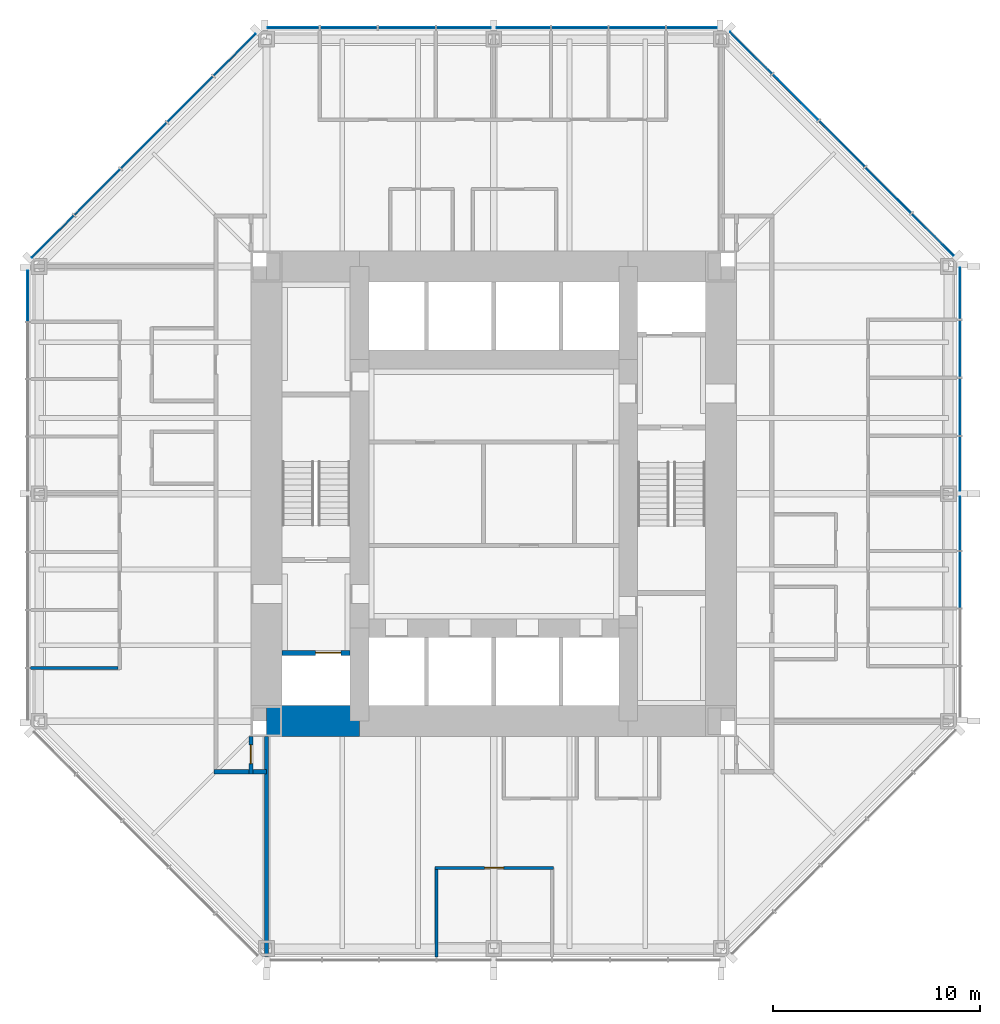
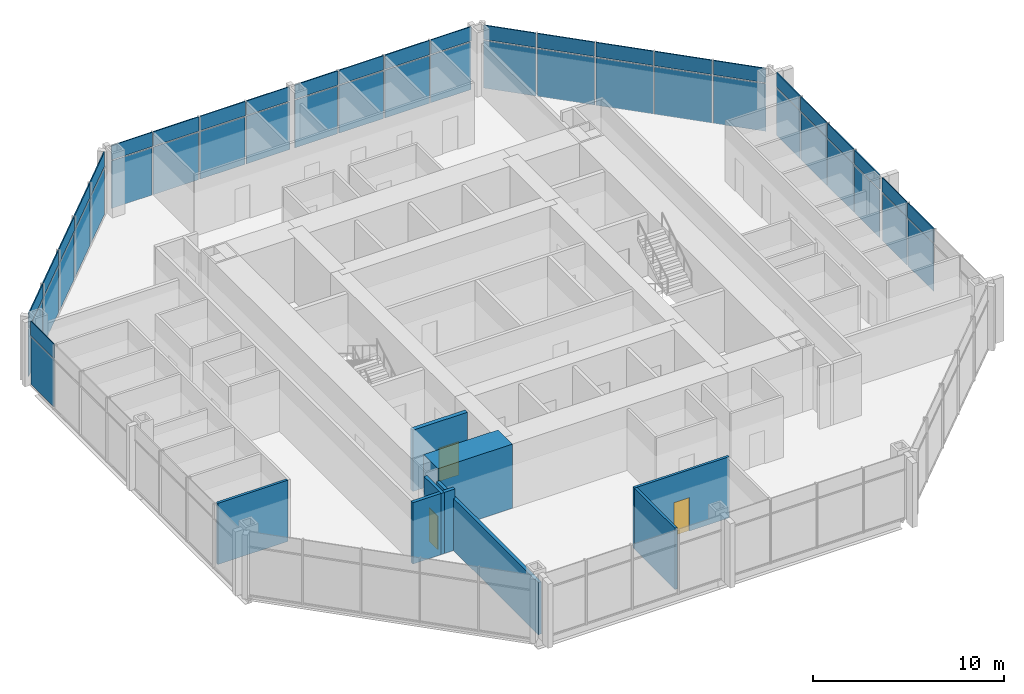
# One storey, part 8 of 14: 50 plates, 8 walls, 3 doors, 3 openings, 5 elements without a shape of their own.
"""IFC4 building model written with IfcOpenShell, lengths in metres."""

from ifc_helpers import new_model, si_unit, direction, frame, frame_2d, origin, origin_2d, place, context, subcontext, project, spatial, rectangle, extrude, material, layer, layer_set, type_object, element, fill, aggregate, save


model = new_model("IFC4")

# Units and contexts
model_context = context("Model", 3, precision=1e-05, world=origin(), true_north=direction((0.0, 1.0)))
body_context = subcontext(model_context, "Body", "Model", "MODEL_VIEW")
ifc_project = project(units=[si_unit("LENGTHUNIT", "METRE"), si_unit("AREAUNIT", "SQUARE_METRE"), si_unit("VOLUMEUNIT", "CUBIC_METRE"), si_unit("PLANEANGLEUNIT", "RADIAN"), si_unit("MASSUNIT", "GRAM", prefix="KILO")], contexts=[model_context])

# Site, building, storey
site_placement = place(None, origin())
site = spatial("IfcSite", under=ifc_project, at=site_placement, CompositionType="ELEMENT")
building_placement = place(site_placement, origin())
building = spatial("IfcBuilding", under=site, at=building_placement, Name="Trevanion Tower", CompositionType="ELEMENT")
storey_placement = place(building_placement, frame((0.0, 0.0, 100.800048828125)))
storey = spatial("IfcBuildingStorey", under=building, at=storey_placement, Name="L23", CompositionType="ELEMENT", Elevation=100.800048828125)

# Curtain wall, plates
ifc_material_1 = material(Name="Aluminium and glass", Category="aluminium")
curtain_wall_type = type_object("IfcCurtainWallType", Name="CW2 curtain wall", PredefinedType="USERDEFINED", material=ifc_material_1)
curtain_wall_1_placement = place(storey_placement, origin())
curtain_wall_1 = element("IfcCurtainWall", 1, at=curtain_wall_1_placement, inside=storey, type_object=curtain_wall_type, Name="CW2 L23 0", ObjectType="UNITISED CURTAIN WALL", PredefinedType="USERDEFINED")
ifc_material_2 = material(Name="Aluminium spandrel panel", Category="aluminium")
ifc_layer_1 = layer(ifc_material_2, 0.06005859375)
ifc_layer_set_1 = layer_set([ifc_layer_1], Name="CW2 spandrel panel")
plate_type_1 = type_object("IfcPlateType", Name="CW2 spandrel panel", PredefinedType="CURTAIN_PANEL", material=ifc_layer_set_1)
plate_1_placement = place(storey_placement, frame((22.550048828125, -4.16162109375, 2.997314453125), z_axis=(0.0, 0.0, 1.0), x_axis=(0.0, 1.0, 0.0)))
plate_1 = element("IfcPlate", 2, at=plate_1_placement, type_object=plate_type_1, Name="CW2 panel 3.2", PredefinedType="CURTAIN_PANEL", context=body_context, shape_type="SweptSolid", body=[
    extrude(rectangle(XDim=2.699462890625, YDim=0.06005859375, at=origin_2d()), origin(), (0.0, 0.0, 1.0), 0.91259765625),
])
plate_2_placement = place(storey_placement, frame((22.550048828125, -1.443603515625, 2.997314453125), z_axis=(0.0, 0.0, 1.0), x_axis=(0.0, 1.0, 0.0)))
plate_2 = element("IfcPlate", 3, at=plate_2_placement, type_object=plate_type_1, Name="CW2 panel 4.2", PredefinedType="CURTAIN_PANEL", context=body_context, shape_type="SweptSolid", body=[
    extrude(rectangle(XDim=2.5869140625, YDim=0.06005859375, at=origin_2d()), origin(), (0.0, 0.0, 1.0), 0.91259765625),
])
plate_3_placement = place(storey_placement, frame((22.550048828125, 1.459716796875, 2.997314453125), z_axis=(0.0, 0.0, 1.0), x_axis=(0.0, 1.0, 0.0)))
plate_3 = element("IfcPlate", 4, at=plate_3_placement, type_object=plate_type_1, Name="CW2 panel 5.2", PredefinedType="CURTAIN_PANEL", context=body_context, shape_type="SweptSolid", body=[
    extrude(rectangle(XDim=2.619384765625, YDim=0.06005859375, at=origin_2d()), origin(), (0.0, 0.0, 1.0), 0.91259765625),
])
plate_4_placement = place(storey_placement, frame((22.550048828125, 4.21044921875, 2.997314453125), z_axis=(0.0, 0.0, 1.0), x_axis=(0.0, 1.0, 0.0)))
plate_4 = element("IfcPlate", 5, at=plate_4_placement, type_object=plate_type_1, Name="CW2 panel 6.2", PredefinedType="CURTAIN_PANEL", context=body_context, shape_type="SweptSolid", body=[
    extrude(rectangle(XDim=2.73193359375, YDim=0.06005859375, at=origin_2d()), origin(), (0.0, 0.0, 1.0), 0.91259765625),
])
plate_5_placement = place(storey_placement, frame((22.550048828125, 7.017333984375, 2.997314453125), z_axis=(0.0, 0.0, 1.0), x_axis=(0.0, 1.0, 0.0)))
plate_5 = element("IfcPlate", 6, at=plate_5_placement, type_object=plate_type_1, Name="CW2 panel 7.2", PredefinedType="CURTAIN_PANEL", context=body_context, shape_type="SweptSolid", body=[
    extrude(rectangle(XDim=2.73193359375, YDim=0.06005859375, at=origin_2d()), origin(), (0.0, 0.0, 1.0), 0.91259765625),
])
plate_6_placement = place(storey_placement, frame((22.550048828125, 9.693115234375, 2.997314453125), z_axis=(0.0, 0.0, 1.0), x_axis=(0.0, 1.0, 0.0)))
plate_6 = element("IfcPlate", 7, at=plate_6_placement, type_object=plate_type_1, Name="CW2 panel 8.2", PredefinedType="CURTAIN_PANEL", context=body_context, shape_type="SweptSolid", body=[
    extrude(rectangle(XDim=2.469482421875, YDim=0.06005859375, at=origin_2d()), origin(), (0.0, 0.0, 1.0), 0.91259765625),
])

curtain_wall_2_placement = place(storey_placement, origin())
curtain_wall_2 = element("IfcCurtainWall", 8, at=curtain_wall_2_placement, inside=storey, type_object=curtain_wall_type, Name="CW2 L23 1", ObjectType="UNITISED CURTAIN WALL", PredefinedType="USERDEFINED")
plate_7_placement = place(storey_placement, frame((21.2421875, 12.53564453125, 2.997314453125), z_axis=(0.0, 0.0, 1.0), x_axis=(-0.707106781187, 0.707106781187, 0.0)))
plate_7 = element("IfcPlate", 9, at=plate_7_placement, type_object=plate_type_1, Name="CW2 panel 1.2", PredefinedType="CURTAIN_PANEL", context=body_context, shape_type="SweptSolid", body=[
    extrude(rectangle(XDim=2.8388671875, YDim=0.06005859375, at=origin_2d()), origin(), (0.0, 0.0, 1.0), 0.91259765625),
])
plate_8_placement = place(storey_placement, frame((19.089111328125, 14.688720703125, 2.997314453125), z_axis=(0.0, 0.0, 1.0), x_axis=(-0.707106781187, 0.707106781187, 0.0)))
plate_8 = element("IfcPlate", 10, at=plate_8_placement, type_object=plate_type_1, Name="CW2 panel 2.2", PredefinedType="CURTAIN_PANEL", context=body_context, shape_type="SweptSolid", body=[
    extrude(rectangle(XDim=3.101318359375, YDim=0.06005859375, at=origin_2d()), origin(), (0.0, 0.0, 1.0), 0.91259765625),
])
plate_9_placement = place(storey_placement, frame((16.843017578125, 16.934814453125, 2.997314453125), z_axis=(0.0, 0.0, 1.0), x_axis=(-0.707106781187, 0.707106781187, 0.0)))
plate_9 = element("IfcPlate", 11, at=plate_9_placement, type_object=plate_type_1, Name="CW2 panel 3.2", PredefinedType="CURTAIN_PANEL", context=body_context, shape_type="SweptSolid", body=[
    extrude(rectangle(XDim=3.101318359375, YDim=0.06005859375, at=origin_2d()), origin(), (0.0, 0.0, 1.0), 0.91259765625),
])
plate_10_placement = place(storey_placement, frame((14.596923828125, 19.180908203125, 2.997314453125), z_axis=(0.0, 0.0, 1.0), x_axis=(-0.707106781187, 0.707106781187, 0.0)))
plate_10 = element("IfcPlate", 12, at=plate_10_placement, type_object=plate_type_1, Name="CW2 panel 4.2", PredefinedType="CURTAIN_PANEL", context=body_context, shape_type="SweptSolid", body=[
    extrude(rectangle(XDim=3.101318359375, YDim=0.06005859375, at=origin_2d()), origin(), (0.0, 0.0, 1.0), 0.91259765625),
])
plate_11_placement = place(storey_placement, frame((12.443603515625, 21.334228515625, 2.997314453125), z_axis=(0.0, 0.0, 1.0), x_axis=(-0.707106781187, 0.707106781187, 0.0)))
plate_11 = element("IfcPlate", 13, at=plate_11_placement, type_object=plate_type_1, Name="CW2 panel 5.2", PredefinedType="CURTAIN_PANEL", context=body_context, shape_type="SweptSolid", body=[
    extrude(rectangle(XDim=2.8388671875, YDim=0.06005859375, at=origin_2d()), origin(), (0.0, 0.0, 1.0), 0.91259765625),
])

curtain_wall_3_placement = place(storey_placement, origin())
curtain_wall_3 = element("IfcCurtainWall", 14, at=curtain_wall_3_placement, inside=storey, type_object=curtain_wall_type, Name="CW2 L23 2", ObjectType="UNITISED CURTAIN WALL", PredefinedType="USERDEFINED")
plate_12_placement = place(storey_placement, frame((9.579345703125, 22.550048828125, 2.997314453125), z_axis=(0.0, 0.0, 1.0), x_axis=(-1.0, 0.0, 0.0)))
plate_12 = element("IfcPlate", 15, at=plate_12_placement, type_object=plate_type_1, Name="CW2 panel 1.2", PredefinedType="CURTAIN_PANEL", context=body_context, shape_type="SweptSolid", body=[
    extrude(rectangle(XDim=2.43701171875, YDim=0.06005859375, at=origin_2d()), origin(), (0.0, 0.0, 1.0), 0.91259765625),
])
plate_13_placement = place(storey_placement, frame((6.93603515625, 22.550048828125, 2.997314453125), z_axis=(0.0, 0.0, 1.0), x_axis=(-1.0, 0.0, 0.0)))
plate_13 = element("IfcPlate", 16, at=plate_13_placement, type_object=plate_type_1, Name="CW2 panel 2.2", PredefinedType="CURTAIN_PANEL", context=body_context, shape_type="SweptSolid", body=[
    extrude(rectangle(XDim=2.699462890625, YDim=0.06005859375, at=origin_2d()), origin(), (0.0, 0.0, 1.0), 0.91259765625),
])
plate_14_placement = place(storey_placement, frame((4.16162109375, 22.550048828125, 2.997314453125), z_axis=(0.0, 0.0, 1.0), x_axis=(-1.0, 0.0, 0.0)))
plate_14 = element("IfcPlate", 17, at=plate_14_placement, type_object=plate_type_1, Name="CW2 panel 3.2", PredefinedType="CURTAIN_PANEL", context=body_context, shape_type="SweptSolid", body=[
    extrude(rectangle(XDim=2.699462890625, YDim=0.06005859375, at=origin_2d()), origin(), (0.0, 0.0, 1.0), 0.91259765625),
])
plate_15_placement = place(storey_placement, frame((1.443603515625, 22.550048828125, 2.997314453125), z_axis=(0.0, 0.0, 1.0), x_axis=(-1.0, 0.0, 0.0)))
plate_15 = element("IfcPlate", 18, at=plate_15_placement, type_object=plate_type_1, Name="CW2 panel 4.2", PredefinedType="CURTAIN_PANEL", context=body_context, shape_type="SweptSolid", body=[
    extrude(rectangle(XDim=2.5869140625, YDim=0.06005859375, at=origin_2d()), origin(), (0.0, 0.0, 1.0), 0.91259765625),
])
plate_16_placement = place(storey_placement, frame((-1.459716796875, 22.550048828125, 2.997314453125), z_axis=(0.0, 0.0, 1.0), x_axis=(-1.0, 0.0, 0.0)))
plate_16 = element("IfcPlate", 19, at=plate_16_placement, type_object=plate_type_1, Name="CW2 panel 5.2", PredefinedType="CURTAIN_PANEL", context=body_context, shape_type="SweptSolid", body=[
    extrude(rectangle(XDim=2.619384765625, YDim=0.06005859375, at=origin_2d()), origin(), (0.0, 0.0, 1.0), 0.91259765625),
])
plate_17_placement = place(storey_placement, frame((-4.21044921875, 22.550048828125, 2.997314453125), z_axis=(0.0, 0.0, 1.0), x_axis=(-1.0, 0.0, 0.0)))
plate_17 = element("IfcPlate", 20, at=plate_17_placement, type_object=plate_type_1, Name="CW2 panel 6.2", PredefinedType="CURTAIN_PANEL", context=body_context, shape_type="SweptSolid", body=[
    extrude(rectangle(XDim=2.73193359375, YDim=0.06005859375, at=origin_2d()), origin(), (0.0, 0.0, 1.0), 0.91259765625),
])
plate_18_placement = place(storey_placement, frame((-7.017333984375, 22.550048828125, 2.997314453125), z_axis=(0.0, 0.0, 1.0), x_axis=(-1.0, 0.0, 0.0)))
plate_18 = element("IfcPlate", 21, at=plate_18_placement, type_object=plate_type_1, Name="CW2 panel 7.2", PredefinedType="CURTAIN_PANEL", context=body_context, shape_type="SweptSolid", body=[
    extrude(rectangle(XDim=2.73193359375, YDim=0.06005859375, at=origin_2d()), origin(), (0.0, 0.0, 1.0), 0.91259765625),
])
plate_19_placement = place(storey_placement, frame((-9.693115234375, 22.550048828125, 2.997314453125), z_axis=(0.0, 0.0, 1.0), x_axis=(-1.0, 0.0, 0.0)))
plate_19 = element("IfcPlate", 22, at=plate_19_placement, type_object=plate_type_1, Name="CW2 panel 8.2", PredefinedType="CURTAIN_PANEL", context=body_context, shape_type="SweptSolid", body=[
    extrude(rectangle(XDim=2.469482421875, YDim=0.06005859375, at=origin_2d()), origin(), (0.0, 0.0, 1.0), 0.91259765625),
])

curtain_wall_4_placement = place(storey_placement, origin())
curtain_wall_4 = element("IfcCurtainWall", 23, at=curtain_wall_4_placement, inside=storey, type_object=curtain_wall_type, Name="CW2 L23 3", ObjectType="UNITISED CURTAIN WALL", PredefinedType="USERDEFINED")
plate_20_placement = place(storey_placement, frame((-12.53564453125, 21.2421875, 2.997314453125), z_axis=(0.0, 0.0, 1.0), x_axis=(-0.707106781187, -0.707106781187, 0.0)))
plate_20 = element("IfcPlate", 24, at=plate_20_placement, type_object=plate_type_1, Name="CW2 panel 1.2", PredefinedType="CURTAIN_PANEL", context=body_context, shape_type="SweptSolid", body=[
    extrude(rectangle(XDim=2.8388671875, YDim=0.06005859375, at=origin_2d()), origin(), (0.0, 0.0, 1.0), 0.91259765625),
])
plate_21_placement = place(storey_placement, frame((-14.688720703125, 19.089111328125, 2.997314453125), z_axis=(0.0, 0.0, 1.0), x_axis=(-0.707106781187, -0.707106781187, 0.0)))
plate_21 = element("IfcPlate", 25, at=plate_21_placement, type_object=plate_type_1, Name="CW2 panel 2.2", PredefinedType="CURTAIN_PANEL", context=body_context, shape_type="SweptSolid", body=[
    extrude(rectangle(XDim=3.101318359375, YDim=0.06005859375, at=origin_2d()), origin(), (0.0, 0.0, 1.0), 0.91259765625),
])
plate_22_placement = place(storey_placement, frame((-16.934814453125, 16.843017578125, 2.997314453125), z_axis=(0.0, 0.0, 1.0), x_axis=(-0.707106781187, -0.707106781187, 0.0)))
plate_22 = element("IfcPlate", 26, at=plate_22_placement, type_object=plate_type_1, Name="CW2 panel 3.2", PredefinedType="CURTAIN_PANEL", context=body_context, shape_type="SweptSolid", body=[
    extrude(rectangle(XDim=3.101318359375, YDim=0.06005859375, at=origin_2d()), origin(), (0.0, 0.0, 1.0), 0.91259765625),
])
plate_23_placement = place(storey_placement, frame((-19.180908203125, 14.596923828125, 2.997314453125), z_axis=(0.0, 0.0, 1.0), x_axis=(-0.707106781187, -0.707106781187, 0.0)))
plate_23 = element("IfcPlate", 27, at=plate_23_placement, type_object=plate_type_1, Name="CW2 panel 4.2", PredefinedType="CURTAIN_PANEL", context=body_context, shape_type="SweptSolid", body=[
    extrude(rectangle(XDim=3.101318359375, YDim=0.06005859375, at=origin_2d()), origin(), (0.0, 0.0, 1.0), 0.91259765625),
])
plate_24_placement = place(storey_placement, frame((-21.334228515625, 12.443603515625, 2.997314453125), z_axis=(0.0, 0.0, 1.0), x_axis=(-0.707106781187, -0.707106781187, 0.0)))
plate_24 = element("IfcPlate", 28, at=plate_24_placement, type_object=plate_type_1, Name="CW2 panel 5.2", PredefinedType="CURTAIN_PANEL", context=body_context, shape_type="SweptSolid", body=[
    extrude(rectangle(XDim=2.8388671875, YDim=0.06005859375, at=origin_2d()), origin(), (0.0, 0.0, 1.0), 0.91259765625),
])

# Curtain wall, plate
curtain_wall_5_placement = place(storey_placement, origin())
curtain_wall_5 = element("IfcCurtainWall", 29, at=curtain_wall_5_placement, inside=storey, type_object=curtain_wall_type, Name="CW2 L23 4", ObjectType="UNITISED CURTAIN WALL", PredefinedType="USERDEFINED")
plate_25_placement = place(storey_placement, frame((-22.550048828125, 9.579345703125, 2.997314453125), z_axis=(0.0, 0.0, 1.0), x_axis=(0.0, -1.0, 0.0)))
plate_25 = element("IfcPlate", 30, at=plate_25_placement, type_object=plate_type_1, Name="CW2 panel 1.2", PredefinedType="CURTAIN_PANEL", context=body_context, shape_type="SweptSolid", body=[
    extrude(rectangle(XDim=2.43701171875, YDim=0.06005859375, at=origin_2d()), origin(), (0.0, 0.0, 1.0), 0.91259765625),
])

# Plate
ifc_material_3 = material(Name="Insulating glass unit", Category="glass")
ifc_layer_2 = layer(ifc_material_3, 0.028076171875)
ifc_layer_set_2 = layer_set([ifc_layer_2], Name="CW2 vision panel")
plate_type_2 = type_object("IfcPlateType", Name="CW2 vision panel", PredefinedType="CURTAIN_PANEL", material=ifc_layer_set_2)
plate_26_placement = place(storey_placement, frame((22.550048828125, -4.16162109375, -0.115234375), z_axis=(0.0, 0.0, 1.0), x_axis=(0.0, 1.0, 0.0)))
plate_26 = element("IfcPlate", 31, at=plate_26_placement, type_object=plate_type_2, Name="CW2 panel 3.1", PredefinedType="CURTAIN_PANEL", context=body_context, shape_type="SweptSolid", body=[
    extrude(rectangle(XDim=2.699462890625, YDim=0.028076171875, at=origin_2d()), origin(), (0.0, 0.0, 1.0), 3.03759765625),
])

plate_27_placement = place(storey_placement, frame((22.550048828125, -1.443603515625, -0.115234375), z_axis=(0.0, 0.0, 1.0), x_axis=(0.0, 1.0, 0.0)))
plate_27 = element("IfcPlate", 32, at=plate_27_placement, type_object=plate_type_2, Name="CW2 panel 4.1", PredefinedType="CURTAIN_PANEL", context=body_context, shape_type="SweptSolid", body=[
    extrude(rectangle(XDim=2.5869140625, YDim=0.028076171875, at=origin_2d()), origin(), (0.0, 0.0, 1.0), 3.03759765625),
])

plate_28_placement = place(storey_placement, frame((22.550048828125, 1.459716796875, -0.115234375), z_axis=(0.0, 0.0, 1.0), x_axis=(0.0, 1.0, 0.0)))
plate_28 = element("IfcPlate", 33, at=plate_28_placement, type_object=plate_type_2, Name="CW2 panel 5.1", PredefinedType="CURTAIN_PANEL", context=body_context, shape_type="SweptSolid", body=[
    extrude(rectangle(XDim=2.619384765625, YDim=0.028076171875, at=origin_2d()), origin(), (0.0, 0.0, 1.0), 3.03759765625),
])

plate_29_placement = place(storey_placement, frame((22.550048828125, 4.21044921875, -0.115234375), z_axis=(0.0, 0.0, 1.0), x_axis=(0.0, 1.0, 0.0)))
plate_29 = element("IfcPlate", 34, at=plate_29_placement, type_object=plate_type_2, Name="CW2 panel 6.1", PredefinedType="CURTAIN_PANEL", context=body_context, shape_type="SweptSolid", body=[
    extrude(rectangle(XDim=2.73193359375, YDim=0.028076171875, at=origin_2d()), origin(), (0.0, 0.0, 1.0), 3.03759765625),
])

plate_30_placement = place(storey_placement, frame((22.550048828125, 7.017333984375, -0.115234375), z_axis=(0.0, 0.0, 1.0), x_axis=(0.0, 1.0, 0.0)))
plate_30 = element("IfcPlate", 35, at=plate_30_placement, type_object=plate_type_2, Name="CW2 panel 7.1", PredefinedType="CURTAIN_PANEL", context=body_context, shape_type="SweptSolid", body=[
    extrude(rectangle(XDim=2.73193359375, YDim=0.028076171875, at=origin_2d()), origin(), (0.0, 0.0, 1.0), 3.03759765625),
])

plate_31_placement = place(storey_placement, frame((22.550048828125, 9.693115234375, -0.115234375), z_axis=(0.0, 0.0, 1.0), x_axis=(0.0, 1.0, 0.0)))
plate_31 = element("IfcPlate", 36, at=plate_31_placement, type_object=plate_type_2, Name="CW2 panel 8.1", PredefinedType="CURTAIN_PANEL", context=body_context, shape_type="SweptSolid", body=[
    extrude(rectangle(XDim=2.469482421875, YDim=0.028076171875, at=origin_2d()), origin(), (0.0, 0.0, 1.0), 3.03759765625),
])

aggregate(curtain_wall_1, [plate_26, plate_1, plate_27, plate_2, plate_28, plate_3, plate_29, plate_4, plate_30, plate_5, plate_31, plate_6])

plate_32_placement = place(storey_placement, frame((21.2421875, 12.53564453125, -0.115234375), z_axis=(0.0, 0.0, 1.0), x_axis=(-0.707106781187, 0.707106781187, 0.0)))
plate_32 = element("IfcPlate", 37, at=plate_32_placement, type_object=plate_type_2, Name="CW2 panel 1.1", PredefinedType="CURTAIN_PANEL", context=body_context, shape_type="SweptSolid", body=[
    extrude(rectangle(XDim=2.8388671875, YDim=0.028076171875, at=origin_2d()), origin(), (0.0, 0.0, 1.0), 3.03759765625),
])

plate_33_placement = place(storey_placement, frame((19.089111328125, 14.688720703125, -0.115234375), z_axis=(0.0, 0.0, 1.0), x_axis=(-0.707106781187, 0.707106781187, 0.0)))
plate_33 = element("IfcPlate", 38, at=plate_33_placement, type_object=plate_type_2, Name="CW2 panel 2.1", PredefinedType="CURTAIN_PANEL", context=body_context, shape_type="SweptSolid", body=[
    extrude(rectangle(XDim=3.101318359375, YDim=0.028076171875, at=origin_2d()), origin(), (0.0, 0.0, 1.0), 3.03759765625),
])

plate_34_placement = place(storey_placement, frame((16.843017578125, 16.934814453125, -0.115234375), z_axis=(0.0, 0.0, 1.0), x_axis=(-0.707106781187, 0.707106781187, 0.0)))
plate_34 = element("IfcPlate", 39, at=plate_34_placement, type_object=plate_type_2, Name="CW2 panel 3.1", PredefinedType="CURTAIN_PANEL", context=body_context, shape_type="SweptSolid", body=[
    extrude(rectangle(XDim=3.101318359375, YDim=0.028076171875, at=origin_2d()), origin(), (0.0, 0.0, 1.0), 3.03759765625),
])

plate_35_placement = place(storey_placement, frame((14.596923828125, 19.180908203125, -0.115234375), z_axis=(0.0, 0.0, 1.0), x_axis=(-0.707106781187, 0.707106781187, 0.0)))
plate_35 = element("IfcPlate", 40, at=plate_35_placement, type_object=plate_type_2, Name="CW2 panel 4.1", PredefinedType="CURTAIN_PANEL", context=body_context, shape_type="SweptSolid", body=[
    extrude(rectangle(XDim=3.101318359375, YDim=0.028076171875, at=origin_2d()), origin(), (0.0, 0.0, 1.0), 3.03759765625),
])

plate_36_placement = place(storey_placement, frame((12.443603515625, 21.334228515625, -0.115234375), z_axis=(0.0, 0.0, 1.0), x_axis=(-0.707106781187, 0.707106781187, 0.0)))
plate_36 = element("IfcPlate", 41, at=plate_36_placement, type_object=plate_type_2, Name="CW2 panel 5.1", PredefinedType="CURTAIN_PANEL", context=body_context, shape_type="SweptSolid", body=[
    extrude(rectangle(XDim=2.8388671875, YDim=0.028076171875, at=origin_2d()), origin(), (0.0, 0.0, 1.0), 3.03759765625),
])

aggregate(curtain_wall_2, [plate_32, plate_7, plate_33, plate_8, plate_34, plate_9, plate_35, plate_10, plate_36, plate_11])

plate_37_placement = place(storey_placement, frame((9.579345703125, 22.550048828125, -0.115234375), z_axis=(0.0, 0.0, 1.0), x_axis=(-1.0, 0.0, 0.0)))
plate_37 = element("IfcPlate", 42, at=plate_37_placement, type_object=plate_type_2, Name="CW2 panel 1.1", PredefinedType="CURTAIN_PANEL", context=body_context, shape_type="SweptSolid", body=[
    extrude(rectangle(XDim=2.43701171875, YDim=0.028076171875, at=origin_2d()), origin(), (0.0, 0.0, 1.0), 3.03759765625),
])

plate_38_placement = place(storey_placement, frame((6.93603515625, 22.550048828125, -0.115234375), z_axis=(0.0, 0.0, 1.0), x_axis=(-1.0, 0.0, 0.0)))
plate_38 = element("IfcPlate", 43, at=plate_38_placement, type_object=plate_type_2, Name="CW2 panel 2.1", PredefinedType="CURTAIN_PANEL", context=body_context, shape_type="SweptSolid", body=[
    extrude(rectangle(XDim=2.699462890625, YDim=0.028076171875, at=origin_2d()), origin(), (0.0, 0.0, 1.0), 3.03759765625),
])

plate_39_placement = place(storey_placement, frame((4.16162109375, 22.550048828125, -0.115234375), z_axis=(0.0, 0.0, 1.0), x_axis=(-1.0, 0.0, 0.0)))
plate_39 = element("IfcPlate", 44, at=plate_39_placement, type_object=plate_type_2, Name="CW2 panel 3.1", PredefinedType="CURTAIN_PANEL", context=body_context, shape_type="SweptSolid", body=[
    extrude(rectangle(XDim=2.699462890625, YDim=0.028076171875, at=origin_2d()), origin(), (0.0, 0.0, 1.0), 3.03759765625),
])

plate_40_placement = place(storey_placement, frame((1.443603515625, 22.550048828125, -0.115234375), z_axis=(0.0, 0.0, 1.0), x_axis=(-1.0, 0.0, 0.0)))
plate_40 = element("IfcPlate", 45, at=plate_40_placement, type_object=plate_type_2, Name="CW2 panel 4.1", PredefinedType="CURTAIN_PANEL", context=body_context, shape_type="SweptSolid", body=[
    extrude(rectangle(XDim=2.5869140625, YDim=0.028076171875, at=origin_2d()), origin(), (0.0, 0.0, 1.0), 3.03759765625),
])

plate_41_placement = place(storey_placement, frame((-1.459716796875, 22.550048828125, -0.115234375), z_axis=(0.0, 0.0, 1.0), x_axis=(-1.0, 0.0, 0.0)))
plate_41 = element("IfcPlate", 46, at=plate_41_placement, type_object=plate_type_2, Name="CW2 panel 5.1", PredefinedType="CURTAIN_PANEL", context=body_context, shape_type="SweptSolid", body=[
    extrude(rectangle(XDim=2.619384765625, YDim=0.028076171875, at=origin_2d()), origin(), (0.0, 0.0, 1.0), 3.03759765625),
])

plate_42_placement = place(storey_placement, frame((-4.21044921875, 22.550048828125, -0.115234375), z_axis=(0.0, 0.0, 1.0), x_axis=(-1.0, 0.0, 0.0)))
plate_42 = element("IfcPlate", 47, at=plate_42_placement, type_object=plate_type_2, Name="CW2 panel 6.1", PredefinedType="CURTAIN_PANEL", context=body_context, shape_type="SweptSolid", body=[
    extrude(rectangle(XDim=2.73193359375, YDim=0.028076171875, at=origin_2d()), origin(), (0.0, 0.0, 1.0), 3.03759765625),
])

plate_43_placement = place(storey_placement, frame((-7.017333984375, 22.550048828125, -0.115234375), z_axis=(0.0, 0.0, 1.0), x_axis=(-1.0, 0.0, 0.0)))
plate_43 = element("IfcPlate", 48, at=plate_43_placement, type_object=plate_type_2, Name="CW2 panel 7.1", PredefinedType="CURTAIN_PANEL", context=body_context, shape_type="SweptSolid", body=[
    extrude(rectangle(XDim=2.73193359375, YDim=0.028076171875, at=origin_2d()), origin(), (0.0, 0.0, 1.0), 3.03759765625),
])

plate_44_placement = place(storey_placement, frame((-9.693115234375, 22.550048828125, -0.115234375), z_axis=(0.0, 0.0, 1.0), x_axis=(-1.0, 0.0, 0.0)))
plate_44 = element("IfcPlate", 49, at=plate_44_placement, type_object=plate_type_2, Name="CW2 panel 8.1", PredefinedType="CURTAIN_PANEL", context=body_context, shape_type="SweptSolid", body=[
    extrude(rectangle(XDim=2.469482421875, YDim=0.028076171875, at=origin_2d()), origin(), (0.0, 0.0, 1.0), 3.03759765625),
])

aggregate(curtain_wall_3, [plate_37, plate_12, plate_38, plate_13, plate_39, plate_14, plate_40, plate_15, plate_41, plate_16, plate_42, plate_17, plate_43, plate_18, plate_44, plate_19])

plate_45_placement = place(storey_placement, frame((-12.53564453125, 21.2421875, -0.115234375), z_axis=(0.0, 0.0, 1.0), x_axis=(-0.707106781187, -0.707106781187, 0.0)))
plate_45 = element("IfcPlate", 50, at=plate_45_placement, type_object=plate_type_2, Name="CW2 panel 1.1", PredefinedType="CURTAIN_PANEL", context=body_context, shape_type="SweptSolid", body=[
    extrude(rectangle(XDim=2.8388671875, YDim=0.028076171875, at=origin_2d()), origin(), (0.0, 0.0, 1.0), 3.03759765625),
])

plate_46_placement = place(storey_placement, frame((-14.688720703125, 19.089111328125, -0.115234375), z_axis=(0.0, 0.0, 1.0), x_axis=(-0.707106781187, -0.707106781187, 0.0)))
plate_46 = element("IfcPlate", 51, at=plate_46_placement, type_object=plate_type_2, Name="CW2 panel 2.1", PredefinedType="CURTAIN_PANEL", context=body_context, shape_type="SweptSolid", body=[
    extrude(rectangle(XDim=3.101318359375, YDim=0.028076171875, at=origin_2d()), origin(), (0.0, 0.0, 1.0), 3.03759765625),
])

plate_47_placement = place(storey_placement, frame((-16.934814453125, 16.843017578125, -0.115234375), z_axis=(0.0, 0.0, 1.0), x_axis=(-0.707106781187, -0.707106781187, 0.0)))
plate_47 = element("IfcPlate", 52, at=plate_47_placement, type_object=plate_type_2, Name="CW2 panel 3.1", PredefinedType="CURTAIN_PANEL", context=body_context, shape_type="SweptSolid", body=[
    extrude(rectangle(XDim=3.101318359375, YDim=0.028076171875, at=origin_2d()), origin(), (0.0, 0.0, 1.0), 3.03759765625),
])

plate_48_placement = place(storey_placement, frame((-19.180908203125, 14.596923828125, -0.115234375), z_axis=(0.0, 0.0, 1.0), x_axis=(-0.707106781187, -0.707106781187, 0.0)))
plate_48 = element("IfcPlate", 53, at=plate_48_placement, type_object=plate_type_2, Name="CW2 panel 4.1", PredefinedType="CURTAIN_PANEL", context=body_context, shape_type="SweptSolid", body=[
    extrude(rectangle(XDim=3.101318359375, YDim=0.028076171875, at=origin_2d()), origin(), (0.0, 0.0, 1.0), 3.03759765625),
])

plate_49_placement = place(storey_placement, frame((-21.334228515625, 12.443603515625, -0.115234375), z_axis=(0.0, 0.0, 1.0), x_axis=(-0.707106781187, -0.707106781187, 0.0)))
plate_49 = element("IfcPlate", 54, at=plate_49_placement, type_object=plate_type_2, Name="CW2 panel 5.1", PredefinedType="CURTAIN_PANEL", context=body_context, shape_type="SweptSolid", body=[
    extrude(rectangle(XDim=2.8388671875, YDim=0.028076171875, at=origin_2d()), origin(), (0.0, 0.0, 1.0), 3.03759765625),
])

aggregate(curtain_wall_4, [plate_45, plate_20, plate_46, plate_21, plate_47, plate_22, plate_48, plate_23, plate_49, plate_24])

plate_50_placement = place(storey_placement, frame((-22.550048828125, 9.579345703125, -0.115234375), z_axis=(0.0, 0.0, 1.0), x_axis=(0.0, -1.0, 0.0)))
plate_50 = element("IfcPlate", 55, at=plate_50_placement, type_object=plate_type_2, Name="CW2 panel 1.1", PredefinedType="CURTAIN_PANEL", context=body_context, shape_type="SweptSolid", body=[
    extrude(rectangle(XDim=2.43701171875, YDim=0.028076171875, at=origin_2d()), origin(), (0.0, 0.0, 1.0), 3.03759765625),
])

aggregate(curtain_wall_5, [plate_50, plate_25])

# Walls
ifc_material_4 = material(Name="Concrete 10,000 psi", Category="concrete")
ifc_layer_3 = layer(ifc_material_4, 1.5)
ifc_layer_set_3 = layer_set([ifc_layer_3], Name="CW1 core wall 1500")
wall_type_1 = type_object("IfcWallType", Name="CW1 core wall 1500", PredefinedType="SHEAR", material=ifc_layer_set_3)
wall_1_placement = place(storey_placement, frame((-11.0, -11.0, 0.0), z_axis=(0.0, 0.0, 1.0), x_axis=(1.0, 0.0, 0.0)))
element("IfcWall", 56, at=wall_1_placement, inside=storey, type_object=wall_type_1, Name="CW1 CS1 L23", PredefinedType="SHEAR", context=body_context, shape_type="SweptSolid", body=[
    extrude(rectangle(XDim=4.5, YDim=1.5, at=frame_2d((2.25, 0.0))), origin(), (0.0, 0.0, 1.0), 4.099853515625),
])
ifc_material_5 = material(Name="Gypsum board on steel studs", Category="steel")
ifc_layer_4 = layer(ifc_material_5, 0.14990234375)
ifc_layer_set_4 = layer_set([ifc_layer_4], Name="PT1 partition 150")
wall_type_2 = type_object("IfcWallType", Name="PT1 partition 150", PredefinedType="PARTITIONING", material=ifc_layer_set_4)
wall_2_placement = place(storey_placement, frame((-18.175048828125, -8.4208984375, 0.0), z_axis=(0.0, 0.0, 1.0), x_axis=(-1.0, 0.0, 0.0)))
element("IfcWall", 57, at=wall_2_placement, inside=storey, type_object=wall_type_2, Name="PT1 L23 FC2S6", PredefinedType="PARTITIONING", context=body_context, shape_type="SweptSolid", body=[
    extrude(rectangle(XDim=4.239990234375, YDim=0.14990234375, at=frame_2d((2.1201171875, 0.0))), origin(), (0.0, 0.0, 1.0), 3.909912109375),
])

# Wall, opening, door
wall_3_placement = place(storey_placement, frame((-2.85009765625, -18.10009765625, 0.0), z_axis=(0.0, 0.0, 1.0), x_axis=(1.0, 0.0, 0.0)))
wall_3 = element("IfcWall", 58, at=wall_3_placement, inside=storey, type_object=wall_type_2, Name="PT1 L23 FC3F", PredefinedType="PARTITIONING", context=body_context, shape_type="SweptSolid", body=[
    extrude(rectangle(XDim=5.732177734375, YDim=0.14990234375, at=frame_2d((2.8662109375, 0.0))), origin(), (0.0, 0.0, 1.0), 3.909912109375),
])
opening_1_placement = place(wall_3_placement, frame((2.408447265625, 0.0, 0.0)))
opening_1 = element("IfcOpeningElement", 59, at=opening_1_placement, cuts=wall_3, Name="Opening 23-039", PredefinedType="OPENING", context=body_context, shape_type="SweptSolid", body=[
    extrude(rectangle(XDim=0.9150390625, YDim=2.134033203125, at=frame_2d((0.45751953125, 1.06689453125))), frame((0.0, 0.0849609375, 0.0), z_axis=(0.0, -1.0, 0.0), x_axis=(1.0, 0.0, 0.0)), (0.0, 0.0, 1.0), 0.169921875),
])
ifc_material_6 = material(Name="Timber veneer, solid core", Category="wood")
door_type_1 = type_object("IfcDoorType", Name="D1 office and meeting room door", OperationType="SINGLE_SWING_LEFT", PredefinedType="DOOR", material=ifc_material_6)
door_1_placement = place(opening_1_placement, origin())
door_1 = element("IfcDoor", 60, at=door_1_placement, inside=storey, type_object=door_type_1, Name="Door 23-039", OperationType="SINGLE_SWING_LEFT", OverallHeight=2.134033203125, OverallWidth=0.9150390625, PredefinedType="DOOR", context=body_context, shape_type="SweptSolid", body=[
    extrude(rectangle(XDim=0.9150390625, YDim=2.134033203125, at=frame_2d((0.45751953125, 1.06689453125))), frame((0.0, 0.02490234375, 0.0), z_axis=(0.0, -1.0, 0.0), x_axis=(1.0, 0.0, 0.0)), (0.0, 0.0, 1.0), 0.050048828125),
])
fill(opening_1, door_1)

# Wall
wall_4_placement = place(storey_placement, frame((-2.77490234375, -18.175048828125, 0.0), z_axis=(0.0, 0.0, 1.0), x_axis=(0.0, -1.0, 0.0)))
element("IfcWall", 61, at=wall_4_placement, inside=storey, type_object=wall_type_2, Name="PT1 L23 FC3S0", PredefinedType="PARTITIONING", context=body_context, shape_type="SweptSolid", body=[
    extrude(rectangle(XDim=4.239990234375, YDim=0.14990234375, at=frame_2d((2.1201171875, 0.0))), origin(), (0.0, 0.0, 1.0), 3.909912109375),
])

# Wall, opening, door
ifc_material_7 = material(Name="Concrete masonry, grouted", Category="masonry")
ifc_layer_5 = layer(ifc_material_7, 0.199951171875)
ifc_layer_set_5 = layer_set([ifc_layer_5], Name="PT2 partition 200 1 HR")
wall_type_3 = type_object("IfcWallType", Name="PT2 partition 200 1 HR", PredefinedType="PARTITIONING", material=ifc_layer_set_5)
wall_5_placement = place(storey_placement, frame((-11.75, -11.75, 0.0), z_axis=(0.0, 0.0, 1.0), x_axis=(0.0, -1.0, 0.0)))
wall_5 = element("IfcWall", 62, at=wall_5_placement, inside=storey, type_object=wall_type_3, Name="PT2 L23 OUSW1", PredefinedType="PARTITIONING", context=body_context, shape_type="SweptSolid", body=[
    extrude(rectangle(XDim=1.800048828125, YDim=0.199951171875, at=frame_2d((0.89990234375, 0.0))), origin(), (0.0, 0.0, 1.0), 3.909912109375),
])
opening_2_placement = place(wall_5_placement, frame((0.392578125, 0.0, 0.0)))
opening_2 = element("IfcOpeningElement", 63, at=opening_2_placement, cuts=wall_5, Name="Opening 23-021", PredefinedType="OPENING", context=body_context, shape_type="SweptSolid", body=[
    extrude(rectangle(XDim=0.9150390625, YDim=2.134033203125, at=frame_2d((0.45751953125, 1.06689453125))), frame((0.0, 0.10986328125, 0.0), z_axis=(0.0, -1.0, 0.0), x_axis=(1.0, 0.0, 0.0)), (0.0, 0.0, 1.0), 0.219970703125),
])
ifc_material_8 = material(Name="Timber veneer, fire rated", Category="wood")
door_type_2 = type_object("IfcDoorType", Name="D10 office door in a one hour wall", OperationType="SINGLE_SWING_LEFT", PredefinedType="DOOR", material=ifc_material_8)
door_2_placement = place(opening_2_placement, frame((0.9150390625, 0.0, 0.0), z_axis=(0.0, 0.0, 1.0), x_axis=(-1.0, 0.0, 0.0)))
door_2 = element("IfcDoor", 64, at=door_2_placement, inside=storey, type_object=door_type_2, Name="Door 23-021", OperationType="SINGLE_SWING_LEFT", OverallHeight=2.134033203125, OverallWidth=0.9150390625, PredefinedType="DOOR", context=body_context, shape_type="SweptSolid", body=[
    extrude(rectangle(XDim=0.9150390625, YDim=2.134033203125, at=frame_2d((0.45751953125, 1.06689453125))), frame((0.0, 0.02490234375, 0.0), z_axis=(0.0, -1.0, 0.0), x_axis=(1.0, 0.0, 0.0)), (0.0, 0.0, 1.0), 0.050048828125),
])
fill(opening_2, door_2)

# Walls
wall_6_placement = place(storey_placement, frame((-11.0, -13.449951171875, 0.0), z_axis=(0.0, 0.0, 1.0), x_axis=(-1.0, 0.0, 0.0)))
element("IfcWall", 65, at=wall_6_placement, inside=storey, type_object=wall_type_3, Name="PT2 L23 OUSW2", PredefinedType="PARTITIONING", context=body_context, shape_type="SweptSolid", body=[
    extrude(rectangle(XDim=2.550048828125, YDim=0.199951171875, at=frame_2d((1.27490234375, 0.0))), origin(), (0.0, 0.0, 1.0), 3.909912109375),
])
wall_7_placement = place(storey_placement, frame((-11.0, -11.75, 0.0), z_axis=(0.0, 0.0, 1.0), x_axis=(0.0, -1.0, 0.0)))
element("IfcWall", 66, at=wall_7_placement, inside=storey, type_object=wall_type_3, Name="PT2 L23 DM2", PredefinedType="PARTITIONING", context=body_context, shape_type="SweptSolid", body=[
    extrude(rectangle(XDim=10.6650390625, YDim=0.199951171875, at=frame_2d((5.33251953125, 0.0))), origin(), (0.0, 0.0, 1.0), 3.32568359375),
])

# Wall, opening, door
ifc_material_9 = material(Name="Concrete masonry, grouted, two-hour", Category="masonry")
ifc_layer_6 = layer(ifc_material_9, 0.25)
ifc_layer_set_6 = layer_set([ifc_layer_6], Name="PT3 partition 250 2 HR")
wall_type_4 = type_object("IfcWallType", Name="PT3 partition 250 2 HR", PredefinedType="PARTITIONING", material=ifc_layer_set_6)
wall_8_placement = place(storey_placement, frame((-6.949951171875, -7.699951171875, 0.0), z_axis=(0.0, 0.0, 1.0), x_axis=(-1.0, 0.0, 0.0)))
wall_8 = element("IfcWall", 67, at=wall_8_placement, inside=storey, type_object=wall_type_4, Name="PT3 L23 WP3", PredefinedType="PARTITIONING", context=body_context, shape_type="SweptSolid", body=[
    extrude(rectangle(XDim=3.300048828125, YDim=0.25, at=frame_2d((1.64990234375, 0.0))), origin(), (0.0, 0.0, 1.0), 3.909912109375),
])
opening_3_placement = place(wall_8_placement, frame((0.449951171875, 0.0, 0.0)))
opening_3 = element("IfcOpeningElement", 68, at=opening_3_placement, cuts=wall_8, Name="Opening 23-008", PredefinedType="OPENING", context=body_context, shape_type="SweptSolid", body=[
    extrude(rectangle(XDim=1.218994140625, YDim=2.134033203125, at=frame_2d((0.609375, 1.06689453125))), frame((0.0, 0.135009765625, 0.0), z_axis=(0.0, -1.0, 0.0), x_axis=(1.0, 0.0, 0.0)), (0.0, 0.0, 1.0), 0.27001953125),
])
ifc_material_10 = material(Name="Stainless steel, fire rated", Category="steel")
door_type_3 = type_object("IfcDoorType", Name="LD2 fire service lift landing door", OperationType="SLIDING_TO_LEFT", PredefinedType="DOOR", material=ifc_material_10)
door_3_placement = place(opening_3_placement, origin())
door_3 = element("IfcDoor", 69, at=door_3_placement, inside=storey, type_object=door_type_3, Name="Door 23-008", OperationType="SLIDING_TO_LEFT", OverallHeight=2.134033203125, OverallWidth=1.218994140625, PredefinedType="DOOR", context=body_context, shape_type="SweptSolid", body=[
    extrude(rectangle(XDim=1.218994140625, YDim=2.134033203125, at=frame_2d((0.609375, 1.06689453125))), frame((0.0, 0.02490234375, 0.0), z_axis=(0.0, -1.0, 0.0), x_axis=(1.0, 0.0, 0.0)), (0.0, 0.0, 1.0), 0.050048828125),
])
fill(opening_3, door_3)

save(model, "model.ifc")
